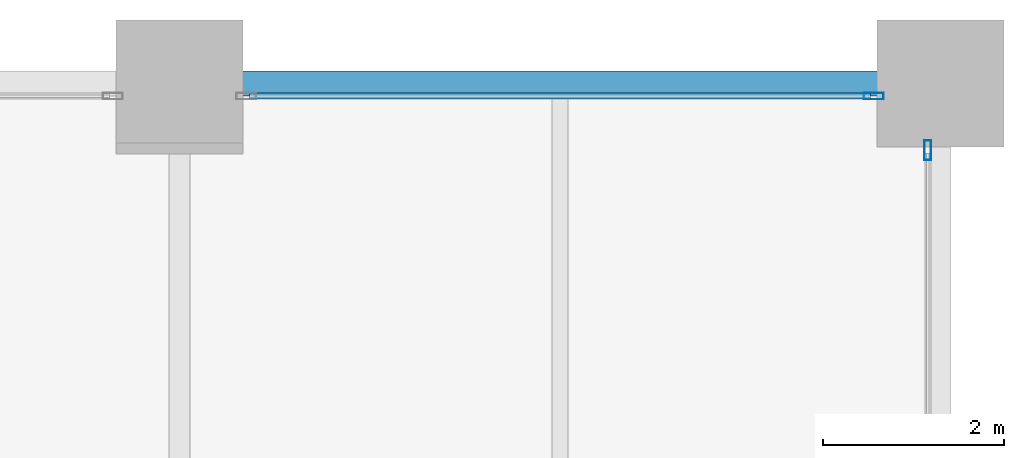
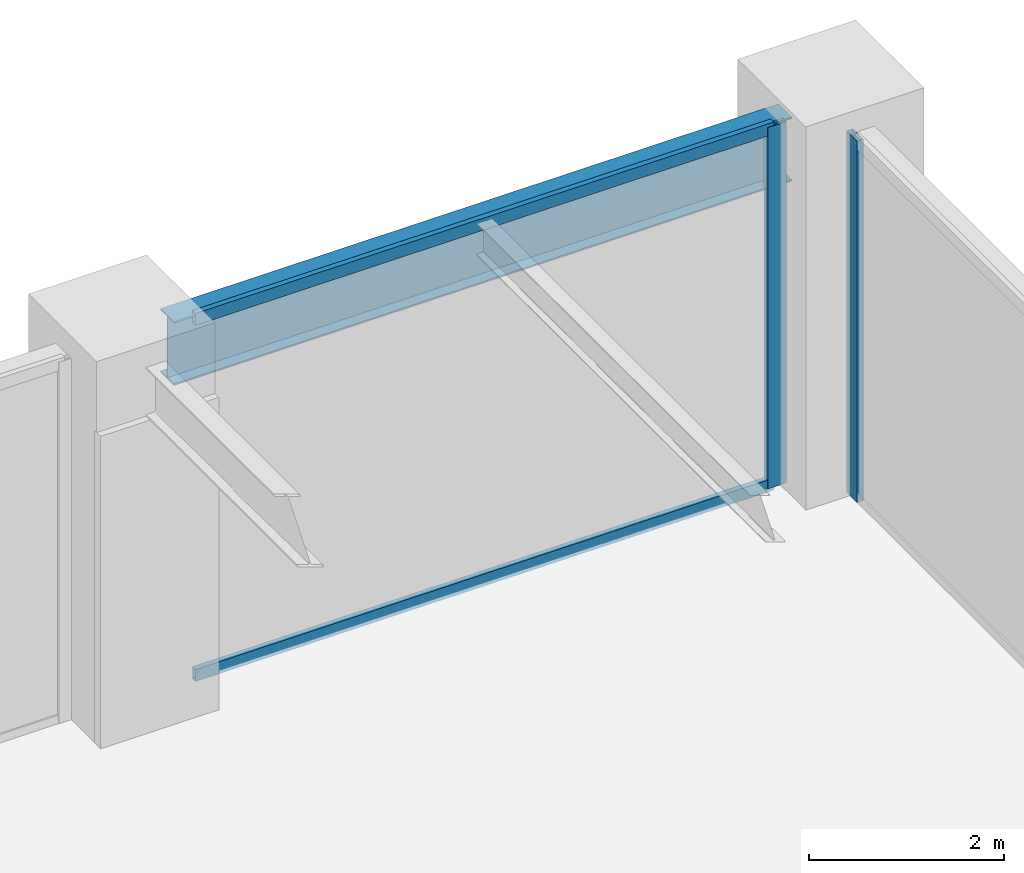
# One storey, part 17 of 24: 4 members, 1 beam, 2 elements without a shape of their own.
"""IFC4 building model written with IfcOpenShell, lengths in metres."""

from ifc_helpers import new_model, si_unit, direction, frame, origin, origin_2d, place, context, subcontext, project, spatial, hollow_rectangle, i_section, extrude, material, layer, layer_set, material_profile, profile_set, type_object, element, aggregate, save


model = new_model("IFC4")

# Units and contexts
model_context = context("Model", 3, precision=1e-05, world=origin(), true_north=direction((0.0, 1.0)))
body_context = subcontext(model_context, "Body", "Model", "MODEL_VIEW")
ifc_project = project(units=[si_unit("LENGTHUNIT", "METRE"), si_unit("AREAUNIT", "SQUARE_METRE"), si_unit("VOLUMEUNIT", "CUBIC_METRE"), si_unit("PLANEANGLEUNIT", "RADIAN"), si_unit("MASSUNIT", "GRAM", prefix="KILO")], contexts=[model_context])

# Site, building, storey
site_placement = place(None, origin())
site = spatial("IfcSite", under=ifc_project, at=site_placement, CompositionType="ELEMENT")
building_placement = place(site_placement, origin())
building = spatial("IfcBuilding", under=site, at=building_placement, Name="Nerrivon Quay Data Exchange", CompositionType="ELEMENT")
storey_placement = place(building_placement, frame((0.0, 0.0, 10.199951171875)))
storey = spatial("IfcBuildingStorey", under=building, at=storey_placement, Name="L02", CompositionType="ELEMENT", Elevation=10.199951171875)

# Beam
ifc_material_1 = material(Name="Steel Grade 350", Category="steel")
ifc_material_profile_1 = material_profile(ifc_material_1, i_section(OverallWidth=0.27490234375, OverallDepth=0.800048828125, WebThickness=0.010009765625, FlangeThickness=0.02001953125, at=origin_2d()), Name="800WB146")
ifc_profile_set_1 = profile_set([ifc_material_profile_1], Name="Steel Grade 350")
beam_type = type_object("IfcBeamType", Name="BM-G8-800WB146", PredefinedType="BEAM", material=ifc_profile_set_1)
beam_placement = place(storey_placement, frame((50.93994140625, 50.39990234375, 4.125), z_axis=(1.0, 0.0, 0.0), x_axis=(0.0, 1.0, 0.0)))
element("IfcBeam", 1, at=beam_placement, inside=storey, type_object=beam_type, Name="L02 EW Girder Y=50.4 (50.4..58.8)", PredefinedType="BEAM", context=body_context, shape_type="SweptSolid", body=[
    extrude(i_section(OverallWidth=0.27490234375, OverallDepth=0.800048828125, WebThickness=0.010009765625, FlangeThickness=0.02001953125, at=origin_2d()), origin(), (0.0, 0.0, 1.0), 7.320068359375),
])

# Curtain wall, member
ifc_material_2 = material(Name="Anodised aluminium 6063-T6", Category="aluminium")
ifc_layer = layer(ifc_material_2, 0.239990234375)
ifc_layer_set = layer_set([ifc_layer], Name="Anodised aluminium 6063-T6")
curtain_wall_type = type_object("IfcCurtainWallType", Name="CW-SYS-03", PredefinedType="NOTDEFINED", material=ifc_layer_set)
curtain_wall_1_placement = place(storey_placement, origin())
curtain_wall_1 = element("IfcCurtainWall", 2, at=curtain_wall_1_placement, inside=storey, type_object=curtain_wall_type, Name="L02 Unitised Curtain Wall 13", PredefinedType="NOTDEFINED")
ifc_material_profile_2 = material_profile(ifc_material_2, hollow_rectangle(XDim=0.074951171875, YDim=0.219970703125, WallThickness=0.00390625, at=origin_2d()), Name="ALU-MULL-220x75")
ifc_profile_set_2 = profile_set([ifc_material_profile_2], Name="Anodised aluminium 6063-T6")
member_type_1 = type_object("IfcMemberType", Name="CWM-220x75", PredefinedType="MULLION", material=ifc_profile_set_2)
member_1_placement = place(storey_placement, frame((58.0625, 50.260009765625, 0.0), z_axis=(0.0, 0.0, 1.0), x_axis=(0.0, 1.0, 0.0)))
member_1 = element("IfcMember", 3, at=member_1_placement, type_object=member_type_1, Name="CW03 mullion 2", PredefinedType="MULLION", context=body_context, shape_type="SweptSolid", body=[
    extrude(hollow_rectangle(XDim=0.074951171875, YDim=0.219970703125, WallThickness=0.00390625, at=origin_2d()), origin(), (0.0, 0.0, 1.0), 4.525146484375),
])

curtain_wall_2_placement = place(storey_placement, origin())
curtain_wall_2 = element("IfcCurtainWall", 4, at=curtain_wall_2_placement, inside=storey, type_object=curtain_wall_type, Name="L02 Unitised Curtain Wall 14", PredefinedType="NOTDEFINED")
member_2_placement = place(storey_placement, frame((58.659912109375, 49.66259765625, 0.0), z_axis=(0.0, 0.0, 1.0), x_axis=(1.0, 0.0, 0.0)))
member_2 = element("IfcMember", 5, at=member_2_placement, type_object=member_type_1, Name="CW03 mullion 1", PredefinedType="MULLION", context=body_context, shape_type="SweptSolid", body=[
    extrude(hollow_rectangle(XDim=0.074951171875, YDim=0.219970703125, WallThickness=0.00390625, at=origin_2d()), origin(), (0.0, 0.0, 1.0), 4.525146484375),
])
aggregate(curtain_wall_2, [member_2])

# Member
ifc_material_profile_3 = material_profile(ifc_material_2, hollow_rectangle(XDim=0.06494140625, YDim=0.14990234375, WallThickness=0.00341796875, at=origin_2d()), Name="ALU-TRAN-150x65")
ifc_profile_set_3 = profile_set([ifc_material_profile_3], Name="Anodised aluminium 6063-T6")
member_type_2 = type_object("IfcMemberType", Name="CWT-150x65", PredefinedType="USERDEFINED", material=ifc_profile_set_3)
member_3_placement = place(storey_placement, frame((51.175048828125, 50.260009765625, 0.032470703125), z_axis=(1.0, 0.0, 0.0), x_axis=(0.0, 1.0, 0.0)))
member_3 = element("IfcMember", 6, at=member_3_placement, type_object=member_type_2, Name="CW03 transom 1.1", ObjectType="TRANSOM", PredefinedType="USERDEFINED", context=body_context, shape_type="SweptSolid", body=[
    extrude(hollow_rectangle(XDim=0.06494140625, YDim=0.14990234375, WallThickness=0.00341796875, at=origin_2d()), origin(), (0.0, 0.0, 1.0), 6.849853515625),
])

member_4_placement = place(storey_placement, frame((51.175048828125, 50.260009765625, 4.492431640625), z_axis=(1.0, 0.0, 0.0), x_axis=(0.0, 1.0, 0.0)))
member_4 = element("IfcMember", 7, at=member_4_placement, type_object=member_type_2, Name="CW03 transom 1.2", ObjectType="TRANSOM", PredefinedType="USERDEFINED", context=body_context, shape_type="SweptSolid", body=[
    extrude(hollow_rectangle(XDim=0.06494140625, YDim=0.14990234375, WallThickness=0.00341796875, at=origin_2d()), origin(), (0.0, 0.0, 1.0), 6.849853515625),
])

aggregate(curtain_wall_1, [member_1, member_3, member_4])

save(model, "model.ifc")
